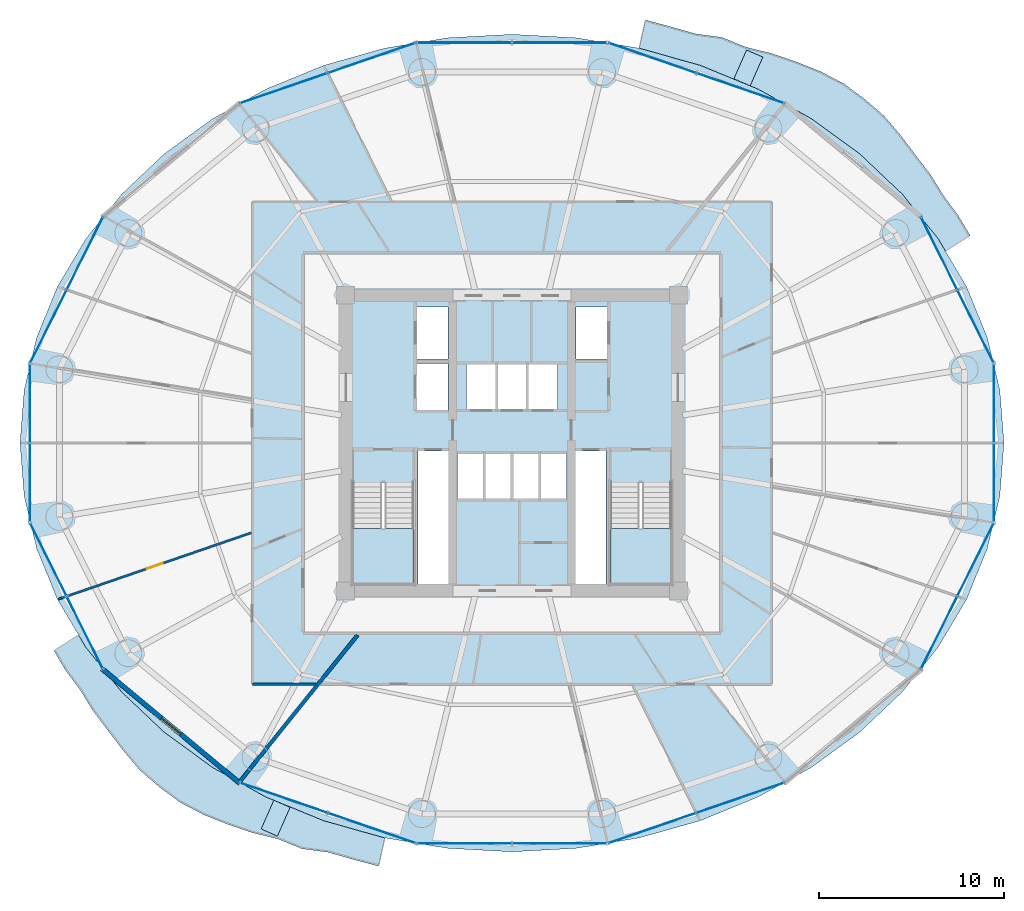
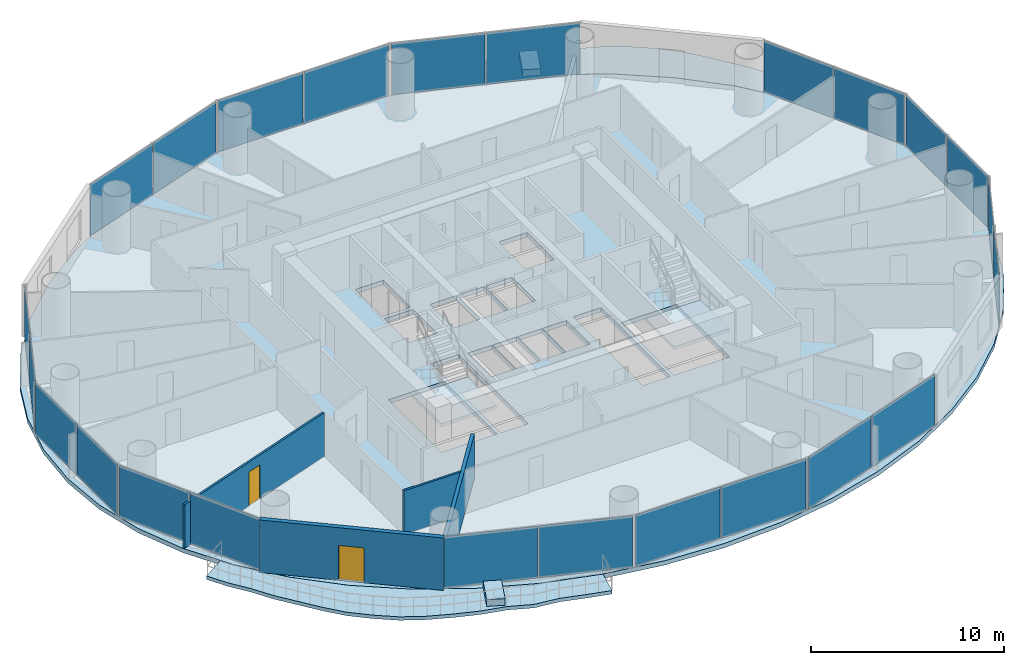
# One storey, part 21 of 29: 24 plates, 7 slabs, 4 walls, 2 doors, 2 openings, 14 elements without a shape of their own.
"""IFC4 building model written with IfcOpenShell, lengths in metres."""

from ifc_helpers import new_model, si_unit, direction, frame, frame_2d, origin, origin_2d, place, context, subcontext, project, spatial, polyline, rectangle, outline, extrude, source, transform, mapped, material, layer, layer_set, type_object, element, fill, aggregate, save


model = new_model("IFC4")

# Units and contexts
model_context = context("Model", 3, precision=1e-05, world=origin(), true_north=direction((-0.2419218956, 0.970295726276)))
body_context = subcontext(model_context, "Body", "Model", "MODEL_VIEW")
ifc_project = project(units=[si_unit("LENGTHUNIT", "METRE"), si_unit("AREAUNIT", "SQUARE_METRE"), si_unit("VOLUMEUNIT", "CUBIC_METRE"), si_unit("PLANEANGLEUNIT", "RADIAN"), si_unit("MASSUNIT", "GRAM", prefix="KILO")], contexts=[model_context])

# Site, building, storey
site_placement = place(None, origin())
site = spatial("IfcSite", under=ifc_project, at=site_placement, CompositionType="ELEMENT")
building_placement = place(site_placement, origin())
building = spatial("IfcBuilding", under=site, at=building_placement, Name="Cobrevalo Terracotta Tower", CompositionType="ELEMENT")
storey_placement = place(building_placement, frame((0.0, 0.0, 112.199951171875)))
storey = spatial("IfcBuildingStorey", under=building, at=storey_placement, Name="L29", CompositionType="ELEMENT", Elevation=112.199951171875)

# Stair, slab
ifc_material_1 = material(Name="Concrete C50", Category="concrete")
stair_type = type_object("IfcStairType", Name="Core protected escape dogleg stair 1600", PredefinedType="HALF_TURN_STAIR", material=ifc_material_1)
stair_1_placement = place(storey_placement, origin())
stair_1 = element("IfcStair", 1, at=stair_1_placement, inside=storey, type_object=stair_type, Name="L29 Protected exit stair ST-1", PredefinedType="HALF_TURN_STAIR")
ifc_layer_1 = layer(ifc_material_1, 0.199951171875)
ifc_layer_set_1 = layer_set([ifc_layer_1], Name="Concrete C50")
slab_type_1 = type_object("IfcSlabType", Name="Reinforced Concrete Stair Landing 200", PredefinedType="LANDING", material=ifc_layer_set_1)
slab_1_placement = place(storey_placement, frame((0.0, 0.0, 1.60009765625)))
slab_1 = element("IfcSlab", 2, at=slab_1_placement, type_object=slab_type_1, Name="ST-1 landing 1", PredefinedType="LANDING", context=body_context, shape_type="SweptSolid", body=[
    extrude(outline(polyline([(29.375, 22.179931640625), (29.375, 19.175048828125), (32.695068359375, 19.175048828125), (32.695068359375, 22.179931640625), (29.375, 22.179931640625)])), origin(), (0.0, 0.0, 1.0), 0.199951171875),
])
aggregate(stair_1, [slab_1])

stair_2_placement = place(storey_placement, origin())
stair_2 = element("IfcStair", 3, at=stair_2_placement, inside=storey, type_object=stair_type, Name="L29 Protected exit stair ST-2", PredefinedType="HALF_TURN_STAIR")
slab_2_placement = place(storey_placement, frame((0.0, 0.0, 1.60009765625)))
slab_2 = element("IfcSlab", 4, at=slab_2_placement, type_object=slab_type_1, Name="ST-2 landing 1", PredefinedType="LANDING", context=body_context, shape_type="SweptSolid", body=[
    extrude(outline(polyline([(43.304931640625, 22.179931640625), (43.304931640625, 19.175048828125), (46.625, 19.175048828125), (46.625, 22.179931640625), (43.304931640625, 22.179931640625)])), origin(), (0.0, 0.0, 1.0), 0.199951171875),
])
aggregate(stair_2, [slab_2])

# Slabs
ifc_material_2 = material(Name="Concrete C45", Category="concrete")
ifc_layer_2 = layer(ifc_material_2, 0.219970703125)
ifc_layer_set_2 = layer_set([ifc_layer_2], Name="Concrete C45")
slab_type_2 = type_object("IfcSlabType", Name="Spiralling cantilevered balcony lobe slab 220 mm", PredefinedType="FLOOR", material=ifc_layer_set_2)
slab_3_placement = place(storey_placement, frame((0.0, 0.0, -0.219970703125)))
element("IfcSlab", 5, at=slab_3_placement, inside=storey, type_object=slab_type_2, Name="L29 spiralling arc balcony slab lobe 1", PredefinedType="FLOOR", context=body_context, shape_type="SweptSolid", body=[
    extrude(outline(polyline([(62.771240234375, 38.0166015625), (62.1162109375, 39.11474609375), (61.341552734375, 40.156982421875), (60.6494140625, 41.2783203125), (59.839599609375, 42.3447265625), (59.01416015625, 43.433349609375), (58.12109375, 44.483154296875), (57.068115234375, 45.39599609375), (55.948486328125, 46.224609375), (54.7001953125, 46.87890625), (53.381591796875, 47.40771484375), (52.04638671875, 47.865234375), (50.653564453125, 48.203369140625), (49.353515625, 48.734619140625), (47.9326171875, 48.925537109375), (46.5771484375, 49.314697265625), (45.21435546875, 49.6728515625), (44.8759765625, 48.150390625), (44.885009765625, 48.14892578125), (48.18017578125, 47.219482421875), (51.301025390625, 45.94091796875), (54.1943359375, 44.334716796875), (56.810546875, 42.428466796875), (59.104736328125, 40.2548828125), (61.0380859375, 37.85107421875), (61.4443359375, 37.16650390625), (62.771240234375, 38.0166015625)])), origin(), (0.0, 0.0, 1.0), 0.219970703125),
])
slab_4_placement = place(storey_placement, frame((0.0, 0.0, -0.219970703125)))
element("IfcSlab", 6, at=slab_4_placement, inside=storey, type_object=slab_type_2, Name="L29 spiralling arc balcony slab lobe 2", PredefinedType="FLOOR", context=body_context, shape_type="SweptSolid", body=[
    extrude(outline(polyline([(13.228759765625, 15.58349609375), (13.8837890625, 14.4853515625), (14.658447265625, 13.443115234375), (15.3505859375, 12.321533203125), (16.160400390625, 11.255126953125), (16.98583984375, 10.16650390625), (17.87890625, 9.116943359375), (18.931884765625, 8.2041015625), (20.051513671875, 7.37548828125), (21.2998046875, 6.72119140625), (22.618408203125, 6.1923828125), (23.95361328125, 5.73486328125), (25.346435546875, 5.396728515625), (26.646484375, 4.865478515625), (28.0673828125, 4.674560546875), (29.4228515625, 4.28515625), (30.78564453125, 3.927001953125), (31.1240234375, 5.44970703125), (31.114990234375, 5.451171875), (27.81982421875, 6.38037109375), (24.698974609375, 7.6591796875), (21.8056640625, 9.265380859375), (19.189453125, 11.171630859375), (16.895263671875, 13.34521484375), (14.9619140625, 15.7490234375), (14.5556640625, 16.433349609375), (13.228759765625, 15.58349609375)])), origin(), (0.0, 0.0, 1.0), 0.219970703125),
])
ifc_material_3 = material(Name="Precast concrete C45", Category="concrete")
ifc_layer_3 = layer(ifc_material_3, 0.419921875)
ifc_layer_set_3 = layer_set([ifc_layer_3], Name="Precast concrete C45")
slab_type_3 = type_object("IfcSlabType", Name="Structural tree planter trough base 420 mm", PredefinedType="USERDEFINED", material=ifc_layer_set_3)
slab_5_placement = place(storey_placement, origin())
element("IfcSlab", 7, at=slab_5_placement, inside=storey, type_object=slab_type_3, Name="L29 structural tree planter trough 1", ObjectType="PLANTER", PredefinedType="USERDEFINED", context=body_context, shape_type="SweptSolid", body=[
    extrude(outline(polyline([(50.876220703125, 46.109619140625), (51.560791015625, 47.66552734375), (50.68212890625, 48.05224609375), (49.99755859375, 46.49609375), (50.876220703125, 46.109619140625)])), origin(), (0.0, 0.0, 1.0), 0.420166015625),
])
slab_6_placement = place(storey_placement, origin())
element("IfcSlab", 8, at=slab_6_placement, inside=storey, type_object=slab_type_3, Name="L29 structural tree planter trough 2", ObjectType="PLANTER", PredefinedType="USERDEFINED", context=body_context, shape_type="SweptSolid", body=[
    extrude(outline(polyline([(25.123779296875, 7.490478515625), (24.439208984375, 5.934326171875), (25.31787109375, 5.5478515625), (26.00244140625, 7.103759765625), (25.123779296875, 7.490478515625)])), origin(), (0.0, 0.0, 1.0), 0.420166015625),
])
ifc_layer_4 = layer(ifc_material_1, 0.27490234375)
ifc_layer_set_4 = layer_set([ifc_layer_4], Name="Concrete C50")
slab_type_4 = type_object("IfcSlabType", Name="Zone Z2 elliptical floor plate 275 mm", PredefinedType="FLOOR", material=ifc_layer_set_4)
slab_7_placement = place(storey_placement, frame((0.0, 0.0, -0.27490234375)))
element("IfcSlab", 9, at=slab_7_placement, inside=storey, type_object=slab_type_4, Name="L29 indoor elliptical floor slab", PredefinedType="FLOOR", context=body_context, shape_type="SweptSolid", body=[
    extrude(outline(polyline([(64.372314453125, 23.915283203125), (63.693603515625, 21.080078125), (62.5751953125, 18.3427734375), (61.036376953125, 15.75), (59.103271484375, 13.346435546875), (56.80908203125, 11.1728515625), (54.193115234375, 9.266845703125), (51.300048828125, 7.660888671875), (48.179443359375, 6.38232421875), (44.884521484375, 5.453125), (41.471923828125, 4.88916015625), (38.0, 4.699951171875), (34.528076171875, 4.88916015625), (31.115478515625, 5.453125), (27.820556640625, 6.38232421875), (24.699951171875, 7.660888671875), (21.806884765625, 9.266845703125), (19.19091796875, 11.1728515625), (16.896728515625, 13.346435546875), (14.963623046875, 15.75), (13.4248046875, 18.3427734375), (12.306396484375, 21.080078125), (11.627685546875, 23.915283203125), (11.39990234375, 26.800048828125), (11.627685546875, 29.6845703125), (12.306396484375, 32.52001953125), (13.4248046875, 35.25732421875), (14.963623046875, 37.85009765625), (16.896728515625, 40.253662109375), (19.19091796875, 42.427001953125), (21.806884765625, 44.3330078125), (24.699951171875, 45.939208984375), (27.820556640625, 47.2177734375), (31.115478515625, 48.14697265625), (34.528076171875, 48.7109375), (38.0, 48.89990234375), (41.471923828125, 48.7109375), (44.884521484375, 48.14697265625), (48.179443359375, 47.2177734375), (51.300048828125, 45.939208984375), (54.193115234375, 44.3330078125), (56.80908203125, 42.427001953125), (59.103271484375, 40.253662109375), (61.036376953125, 37.85009765625), (62.5751953125, 35.25732421875), (63.693603515625, 32.52001953125), (64.372314453125, 29.6845703125), (64.60009765625, 26.800048828125), (64.372314453125, 23.915283203125)]), holes=[polyline([(32.695068359375, 19.175048828125), (32.695068359375, 24.659912109375), (29.375, 24.659912109375), (29.375, 19.175048828125), (32.695068359375, 19.175048828125)]), polyline([(34.574951171875, 19.175048828125), (34.574951171875, 26.360107421875), (32.919921875, 26.360107421875), (32.919921875, 19.175048828125), (34.574951171875, 19.175048828125)]), polyline([(36.47998046875, 23.800048828125), (36.47998046875, 26.25), (35.050048828125, 26.25), (35.050048828125, 23.800048828125), (36.47998046875, 23.800048828125)]), polyline([(37.9599609375, 23.800048828125), (37.9599609375, 26.25), (36.530029296875, 26.25), (36.530029296875, 23.800048828125), (37.9599609375, 23.800048828125)]), polyline([(37.1201171875, 28.60009765625), (37.1201171875, 31.050048828125), (35.550048828125, 31.050048828125), (35.550048828125, 28.60009765625), (37.1201171875, 28.60009765625)]), polyline([(34.550048828125, 28.60009765625), (34.550048828125, 31.10009765625), (32.85009765625, 31.10009765625), (32.85009765625, 28.60009765625), (34.550048828125, 28.60009765625)]), polyline([(34.550048828125, 31.35009765625), (34.550048828125, 34.14990234375), (32.85009765625, 34.14990234375), (32.85009765625, 31.35009765625), (34.550048828125, 31.35009765625)]), polyline([(46.625, 19.175048828125), (46.625, 24.659912109375), (43.304931640625, 24.659912109375), (43.304931640625, 19.175048828125), (46.625, 19.175048828125)]), polyline([(43.080078125, 19.175048828125), (43.080078125, 26.360107421875), (41.425048828125, 26.360107421875), (41.425048828125, 19.175048828125), (43.080078125, 19.175048828125)]), polyline([(39.469970703125, 23.800048828125), (39.469970703125, 26.25), (38.0400390625, 26.25), (38.0400390625, 23.800048828125), (39.469970703125, 23.800048828125)]), polyline([(40.949951171875, 23.800048828125), (40.949951171875, 26.25), (39.52001953125, 26.25), (39.52001953125, 23.800048828125), (40.949951171875, 23.800048828125)]), polyline([(38.780029296875, 28.60009765625), (38.780029296875, 31.050048828125), (37.219970703125, 31.050048828125), (37.219970703125, 28.60009765625), (38.780029296875, 28.60009765625)]), polyline([(40.449951171875, 28.60009765625), (40.449951171875, 31.050048828125), (38.8798828125, 31.050048828125), (38.8798828125, 28.60009765625), (40.449951171875, 28.60009765625)]), polyline([(43.14990234375, 31.35009765625), (43.14990234375, 34.14990234375), (41.449951171875, 34.14990234375), (41.449951171875, 31.35009765625), (43.14990234375, 31.35009765625)])]), origin(), (0.0, 0.0, 1.0), 0.27490234375),
])

# Curtain wall, plates
ifc_material_4 = material(Name="Anodized aluminium", Category="aluminium")
curtain_wall_type = type_object("IfcCurtainWallType", Name="Lower-tower unitised acoustic low-E curtain wall CW-U1", PredefinedType="NOTDEFINED", material=ifc_material_4)
curtain_wall_1_placement = place(storey_placement, origin())
curtain_wall_1 = element("IfcCurtainWall", 10, at=curtain_wall_1_placement, inside=storey, type_object=curtain_wall_type, Name="L29 curtain wall CW-L29-S03", PredefinedType="NOTDEFINED")
ifc_material_5 = material(Name="Solar-control low-E double glazing", Category="glass")
ifc_layer_5 = layer(ifc_material_5, 0.028076171875)
ifc_layer_set_5 = layer_set([ifc_layer_5], Name="Solar-control low-E double glazing")
plate_type = type_object("IfcPlateType", Name="Tower solar-control low-E vision glass panel 28 mm", PredefinedType="CURTAIN_PANEL", material=ifc_layer_set_5)
shared_shape_1 = source(origin(), body_context, "Body", "SweptSolid", [
    extrude(rectangle(XDim=4.944580078125, YDim=0.035888671875, at=origin_2d()), origin(), (0.0, 0.0, 1.0), 3.2451171875),
])
plate_1_placement = place(storey_placement, frame((50.34814453125, 45.98095703125, 0.0400390625), z_axis=(0.0, 0.0, 1.0), x_axis=(-0.945596395206, 0.325342062104, 0.0)))
plate_1 = element("IfcPlate", 11, at=plate_1_placement, type_object=plate_type, Name="CW-L29-S03 glazing panel B01", PredefinedType="CURTAIN_PANEL", context=body_context, shape_type="MappedRepresentation", body=[
    mapped(shared_shape_1, transform((0.0, 0.0, 0.0), scale=1.0)),
])
plate_2_placement = place(storey_placement, frame((45.596923828125, 47.615478515625, 0.0400390625), z_axis=(0.0, 0.0, 1.0), x_axis=(-0.945596395206, 0.325342062104, 0.0)))
plate_2 = element("IfcPlate", 12, at=plate_2_placement, type_object=plate_type, Name="CW-L29-S03 glazing panel B02", PredefinedType="CURTAIN_PANEL", context=body_context, shape_type="MappedRepresentation", body=[
    mapped(shared_shape_1, transform((0.0, 0.0, 0.0), scale=1.0)),
])
aggregate(curtain_wall_1, [plate_1, plate_2])

curtain_wall_2_placement = place(storey_placement, origin())
curtain_wall_2 = element("IfcCurtainWall", 13, at=curtain_wall_2_placement, inside=storey, type_object=curtain_wall_type, Name="L29 curtain wall CW-L29-S05", PredefinedType="NOTDEFINED")
plate_3_placement = place(storey_placement, frame((30.403076171875, 47.615478515625, 0.0400390625), z_axis=(0.0, 0.0, 1.0), x_axis=(-0.945596395206, -0.325342062104, 0.0)))
plate_3 = element("IfcPlate", 14, at=plate_3_placement, type_object=plate_type, Name="CW-L29-S05 glazing panel B01", PredefinedType="CURTAIN_PANEL", context=body_context, shape_type="MappedRepresentation", body=[
    mapped(shared_shape_1, transform((0.0, 0.0, 0.0), scale=1.0)),
])
plate_4_placement = place(storey_placement, frame((25.65185546875, 45.98095703125, 0.0400390625), z_axis=(0.0, 0.0, 1.0), x_axis=(-0.945596395206, -0.325342062104, 0.0)))
plate_4 = element("IfcPlate", 15, at=plate_4_placement, type_object=plate_type, Name="CW-L29-S05 glazing panel B02", PredefinedType="CURTAIN_PANEL", context=body_context, shape_type="MappedRepresentation", body=[
    mapped(shared_shape_1, transform((0.0, 0.0, 0.0), scale=1.0)),
])
aggregate(curtain_wall_2, [plate_3, plate_4])

curtain_wall_3_placement = place(storey_placement, origin())
curtain_wall_3 = element("IfcCurtainWall", 16, at=curtain_wall_3_placement, inside=storey, type_object=curtain_wall_type, Name="L29 curtain wall CW-L29-S11", PredefinedType="NOTDEFINED")
plate_5_placement = place(storey_placement, frame((25.65185546875, 7.619140625, 0.0400390625), z_axis=(0.0, 0.0, 1.0), x_axis=(0.945596395206, -0.325342062104, 0.0)))
plate_5 = element("IfcPlate", 17, at=plate_5_placement, type_object=plate_type, Name="CW-L29-S11 glazing panel B01", PredefinedType="CURTAIN_PANEL", context=body_context, shape_type="MappedRepresentation", body=[
    mapped(shared_shape_1, transform((0.0, 0.0, 0.0), scale=1.0)),
])
plate_6_placement = place(storey_placement, frame((30.403076171875, 5.984375, 0.0400390625), z_axis=(0.0, 0.0, 1.0), x_axis=(0.945596395206, -0.325342062104, 0.0)))
plate_6 = element("IfcPlate", 18, at=plate_6_placement, type_object=plate_type, Name="CW-L29-S11 glazing panel B02", PredefinedType="CURTAIN_PANEL", context=body_context, shape_type="MappedRepresentation", body=[
    mapped(shared_shape_1, transform((0.0, 0.0, 0.0), scale=1.0)),
])
aggregate(curtain_wall_3, [plate_5, plate_6])

curtain_wall_4_placement = place(storey_placement, origin())
curtain_wall_4 = element("IfcCurtainWall", 19, at=curtain_wall_4_placement, inside=storey, type_object=curtain_wall_type, Name="L29 curtain wall CW-L29-S13", PredefinedType="NOTDEFINED")
plate_7_placement = place(storey_placement, frame((45.596923828125, 5.984375, 0.0400390625), z_axis=(0.0, 0.0, 1.0), x_axis=(0.945596395206, 0.325342062104, 0.0)))
plate_7 = element("IfcPlate", 20, at=plate_7_placement, type_object=plate_type, Name="CW-L29-S13 glazing panel B01", PredefinedType="CURTAIN_PANEL", context=body_context, shape_type="MappedRepresentation", body=[
    mapped(shared_shape_1, transform((0.0, 0.0, 0.0), scale=1.0)),
])
plate_8_placement = place(storey_placement, frame((50.34814453125, 7.619140625, 0.0400390625), z_axis=(0.0, 0.0, 1.0), x_axis=(0.945596395206, 0.325342062104, 0.0)))
plate_8 = element("IfcPlate", 21, at=plate_8_placement, type_object=plate_type, Name="CW-L29-S13 glazing panel B02", PredefinedType="CURTAIN_PANEL", context=body_context, shape_type="MappedRepresentation", body=[
    mapped(shared_shape_1, transform((0.0, 0.0, 0.0), scale=1.0)),
])
aggregate(curtain_wall_4, [plate_7, plate_8])

curtain_wall_5_placement = place(storey_placement, origin())
curtain_wall_5 = element("IfcCurtainWall", 22, at=curtain_wall_5_placement, inside=storey, type_object=curtain_wall_type, Name="L29 curtain wall CW-L29-S04", PredefinedType="NOTDEFINED")
shared_shape_2 = source(origin(), body_context, "Body", "SweptSolid", [
    extrude(rectangle(XDim=5.0634765625, YDim=0.035888671875, at=origin_2d()), origin(), (0.0, 0.0, 1.0), 3.2451171875),
])
plate_9_placement = place(storey_placement, frame((40.57177734375, 48.446044921875, 0.0400390625), z_axis=(0.0, 0.0, 1.0), x_axis=(-1.0, 0.0, 0.0)))
plate_9 = element("IfcPlate", 23, at=plate_9_placement, type_object=plate_type, Name="CW-L29-S04 glazing panel B01", PredefinedType="CURTAIN_PANEL", context=body_context, shape_type="MappedRepresentation", body=[
    mapped(shared_shape_2, transform((0.0, 0.0, 0.0), scale=1.0)),
])
plate_10_placement = place(storey_placement, frame((35.42822265625, 48.446044921875, 0.0400390625), z_axis=(0.0, 0.0, 1.0), x_axis=(-1.0, 0.0, 0.0)))
plate_10 = element("IfcPlate", 24, at=plate_10_placement, type_object=plate_type, Name="CW-L29-S04 glazing panel B02", PredefinedType="CURTAIN_PANEL", context=body_context, shape_type="MappedRepresentation", body=[
    mapped(shared_shape_2, transform((0.0, 0.0, 0.0), scale=1.0)),
])
aggregate(curtain_wall_5, [plate_9, plate_10])

curtain_wall_6_placement = place(storey_placement, origin())
curtain_wall_6 = element("IfcCurtainWall", 25, at=curtain_wall_6_placement, inside=storey, type_object=curtain_wall_type, Name="L29 curtain wall CW-L29-S12", PredefinedType="NOTDEFINED")
plate_11_placement = place(storey_placement, frame((35.42822265625, 5.154052734375, 0.0400390625), z_axis=(0.0, 0.0, 1.0), x_axis=(1.0, 0.0, 0.0)))
plate_11 = element("IfcPlate", 26, at=plate_11_placement, type_object=plate_type, Name="CW-L29-S12 glazing panel B01", PredefinedType="CURTAIN_PANEL", context=body_context, shape_type="MappedRepresentation", body=[
    mapped(shared_shape_2, transform((0.0, 0.0, 0.0), scale=1.0)),
])
plate_12_placement = place(storey_placement, frame((40.57177734375, 5.154052734375, 0.0400390625), z_axis=(0.0, 0.0, 1.0), x_axis=(1.0, 0.0, 0.0)))
plate_12 = element("IfcPlate", 27, at=plate_12_placement, type_object=plate_type, Name="CW-L29-S12 glazing panel B02", PredefinedType="CURTAIN_PANEL", context=body_context, shape_type="MappedRepresentation", body=[
    mapped(shared_shape_2, transform((0.0, 0.0, 0.0), scale=1.0)),
])
aggregate(curtain_wall_6, [plate_11, plate_12])

curtain_wall_7_placement = place(storey_placement, origin())
curtain_wall_7 = element("IfcCurtainWall", 28, at=curtain_wall_7_placement, inside=storey, type_object=curtain_wall_type, Name="L29 curtain wall CW-L29-S01", PredefinedType="NOTDEFINED")
shared_shape_3 = source(origin(), body_context, "Body", "SweptSolid", [
    extrude(rectangle(XDim=4.3251953125, YDim=0.035888671875, at=origin_2d()), origin(), (0.0, 0.0, 1.0), 3.2451171875),
])
plate_13_placement = place(storey_placement, frame((63.05859375, 33.112548828125, 0.0400390625), z_axis=(0.0, 0.0, 1.0), x_axis=(-0.446261852127, 0.894902430065, 0.0)))
plate_13 = element("IfcPlate", 29, at=plate_13_placement, type_object=plate_type, Name="CW-L29-S01 glazing panel B01", PredefinedType="CURTAIN_PANEL", context=body_context, shape_type="MappedRepresentation", body=[
    mapped(shared_shape_3, transform((0.0, 0.0, 0.0), scale=1.0)),
])
plate_14_placement = place(storey_placement, frame((61.093017578125, 37.0546875, 0.0400390625), z_axis=(0.0, 0.0, 1.0), x_axis=(-0.446261852127, 0.894902430065, 0.0)))
plate_14 = element("IfcPlate", 30, at=plate_14_placement, type_object=plate_type, Name="CW-L29-S01 glazing panel B02", PredefinedType="CURTAIN_PANEL", context=body_context, shape_type="MappedRepresentation", body=[
    mapped(shared_shape_3, transform((0.0, 0.0, 0.0), scale=1.0)),
])
aggregate(curtain_wall_7, [plate_13, plate_14])

curtain_wall_8_placement = place(storey_placement, origin())
curtain_wall_8 = element("IfcCurtainWall", 31, at=curtain_wall_8_placement, inside=storey, type_object=curtain_wall_type, Name="L29 curtain wall CW-L29-S07", PredefinedType="NOTDEFINED")
plate_15_placement = place(storey_placement, frame((14.906982421875, 37.0546875, 0.0400390625), z_axis=(0.0, 0.0, 1.0), x_axis=(-0.446261852127, -0.894902430065, 0.0)))
plate_15 = element("IfcPlate", 32, at=plate_15_placement, type_object=plate_type, Name="CW-L29-S07 glazing panel B01", PredefinedType="CURTAIN_PANEL", context=body_context, shape_type="MappedRepresentation", body=[
    mapped(shared_shape_3, transform((0.0, 0.0, 0.0), scale=1.0)),
])
plate_16_placement = place(storey_placement, frame((12.94140625, 33.112548828125, 0.0400390625), z_axis=(0.0, 0.0, 1.0), x_axis=(-0.446261852127, -0.894902430065, 0.0)))
plate_16 = element("IfcPlate", 33, at=plate_16_placement, type_object=plate_type, Name="CW-L29-S07 glazing panel B02", PredefinedType="CURTAIN_PANEL", context=body_context, shape_type="MappedRepresentation", body=[
    mapped(shared_shape_3, transform((0.0, 0.0, 0.0), scale=1.0)),
])
aggregate(curtain_wall_8, [plate_15, plate_16])

curtain_wall_9_placement = place(storey_placement, origin())
curtain_wall_9 = element("IfcCurtainWall", 34, at=curtain_wall_9_placement, inside=storey, type_object=curtain_wall_type, Name="L29 curtain wall CW-L29-S09", PredefinedType="NOTDEFINED")
plate_17_placement = place(storey_placement, frame((12.94140625, 20.487548828125, 0.0400390625), z_axis=(0.0, 0.0, 1.0), x_axis=(0.446261852127, -0.894902430065, 0.0)))
plate_17 = element("IfcPlate", 35, at=plate_17_placement, type_object=plate_type, Name="CW-L29-S09 glazing panel B01", PredefinedType="CURTAIN_PANEL", context=body_context, shape_type="MappedRepresentation", body=[
    mapped(shared_shape_3, transform((0.0, 0.0, 0.0), scale=1.0)),
])
plate_18_placement = place(storey_placement, frame((14.906982421875, 16.54541015625, 0.0400390625), z_axis=(0.0, 0.0, 1.0), x_axis=(0.446261852127, -0.894902430065, 0.0)))
plate_18 = element("IfcPlate", 36, at=plate_18_placement, type_object=plate_type, Name="CW-L29-S09 glazing panel B02", PredefinedType="CURTAIN_PANEL", context=body_context, shape_type="MappedRepresentation", body=[
    mapped(shared_shape_3, transform((0.0, 0.0, 0.0), scale=1.0)),
])
aggregate(curtain_wall_9, [plate_17, plate_18])

curtain_wall_10_placement = place(storey_placement, origin())
curtain_wall_10 = element("IfcCurtainWall", 37, at=curtain_wall_10_placement, inside=storey, type_object=curtain_wall_type, Name="L29 curtain wall CW-L29-S15", PredefinedType="NOTDEFINED")
plate_19_placement = place(storey_placement, frame((61.093017578125, 16.54541015625, 0.0400390625), z_axis=(0.0, 0.0, 1.0), x_axis=(0.446261852127, 0.894902430065, 0.0)))
plate_19 = element("IfcPlate", 38, at=plate_19_placement, type_object=plate_type, Name="CW-L29-S15 glazing panel B01", PredefinedType="CURTAIN_PANEL", context=body_context, shape_type="MappedRepresentation", body=[
    mapped(shared_shape_3, transform((0.0, 0.0, 0.0), scale=1.0)),
])
plate_20_placement = place(storey_placement, frame((63.05859375, 20.487548828125, 0.0400390625), z_axis=(0.0, 0.0, 1.0), x_axis=(0.446261852127, 0.894902430065, 0.0)))
plate_20 = element("IfcPlate", 39, at=plate_20_placement, type_object=plate_type, Name="CW-L29-S15 glazing panel B02", PredefinedType="CURTAIN_PANEL", context=body_context, shape_type="MappedRepresentation", body=[
    mapped(shared_shape_3, transform((0.0, 0.0, 0.0), scale=1.0)),
])
aggregate(curtain_wall_10, [plate_19, plate_20])

curtain_wall_11_placement = place(storey_placement, origin())
curtain_wall_11 = element("IfcCurtainWall", 40, at=curtain_wall_11_placement, inside=storey, type_object=curtain_wall_type, Name="L29 curtain wall CW-L29-S08", PredefinedType="NOTDEFINED")
shared_shape_4 = source(origin(), body_context, "Body", "SweptSolid", [
    extrude(rectangle(XDim=4.185546875, YDim=0.035888671875, at=origin_2d()), origin(), (0.0, 0.0, 1.0), 3.2451171875),
])
plate_21_placement = place(storey_placement, frame((11.9404296875, 28.932861328125, 0.0400390625), z_axis=(0.0, 0.0, 1.0), x_axis=(0.0, -1.0, 0.0)))
plate_21 = element("IfcPlate", 41, at=plate_21_placement, type_object=plate_type, Name="CW-L29-S08 glazing panel B01", PredefinedType="CURTAIN_PANEL", context=body_context, shape_type="MappedRepresentation", body=[
    mapped(shared_shape_4, transform((0.0, 0.0, 0.0), scale=1.0)),
])
plate_22_placement = place(storey_placement, frame((11.9404296875, 24.667236328125, 0.0400390625), z_axis=(0.0, 0.0, 1.0), x_axis=(0.0, -1.0, 0.0)))
plate_22 = element("IfcPlate", 42, at=plate_22_placement, type_object=plate_type, Name="CW-L29-S08 glazing panel B02", PredefinedType="CURTAIN_PANEL", context=body_context, shape_type="MappedRepresentation", body=[
    mapped(shared_shape_4, transform((0.0, 0.0, 0.0), scale=1.0)),
])
aggregate(curtain_wall_11, [plate_21, plate_22])

curtain_wall_12_placement = place(storey_placement, origin())
curtain_wall_12 = element("IfcCurtainWall", 43, at=curtain_wall_12_placement, inside=storey, type_object=curtain_wall_type, Name="L29 curtain wall CW-L29-S16", PredefinedType="NOTDEFINED")
plate_23_placement = place(storey_placement, frame((64.0595703125, 24.667236328125, 0.0400390625), z_axis=(0.0, 0.0, 1.0), x_axis=(0.0, 1.0, 0.0)))
plate_23 = element("IfcPlate", 44, at=plate_23_placement, type_object=plate_type, Name="CW-L29-S16 glazing panel B01", PredefinedType="CURTAIN_PANEL", context=body_context, shape_type="MappedRepresentation", body=[
    mapped(shared_shape_4, transform((0.0, 0.0, 0.0), scale=1.0)),
])
plate_24_placement = place(storey_placement, frame((64.0595703125, 28.932861328125, 0.0400390625), z_axis=(0.0, 0.0, 1.0), x_axis=(0.0, 1.0, 0.0)))
plate_24 = element("IfcPlate", 45, at=plate_24_placement, type_object=plate_type, Name="CW-L29-S16 glazing panel B02", PredefinedType="CURTAIN_PANEL", context=body_context, shape_type="MappedRepresentation", body=[
    mapped(shared_shape_4, transform((0.0, 0.0, 0.0), scale=1.0)),
])
aggregate(curtain_wall_12, [plate_23, plate_24])

# Wall
ifc_material_6 = material(Name="Autoclaved aerated concrete block", Category="concrete")
ifc_layer_6 = layer(ifc_material_6, 0.199951171875)
ifc_layer_set_6 = layer_set([ifc_layer_6], Name="Autoclaved aerated concrete block")
wall_type_1 = type_object("IfcWallType", Name="Fire-rated stair, shaft & demising masonry wall 200 mm", PredefinedType="PARTITIONING", material=ifc_layer_set_6)
wall_1_placement = place(storey_placement, frame((29.64794921875, 16.4150390625, 0.0), z_axis=(0.0, 0.0, 1.0), x_axis=(-0.626701127389, -0.779259710834, 0.0)))
element("IfcWall", 46, at=wall_1_placement, inside=storey, type_object=wall_type_1, Name="L29 interior partition IW-L29-DEM-2", PredefinedType="PARTITIONING", context=body_context, shape_type="SweptSolid", body=[
    extrude(rectangle(XDim=10.14111328125, YDim=0.199951171875, at=frame_2d((5.070556640625, 0.0))), origin(), (0.0, 0.0, 1.0), 2.76708984375),
])

# Wall, opening, door
ifc_layer_7 = layer(ifc_material_6, 0.260009765625)
ifc_layer_set_7 = layer_set([ifc_layer_7], Name="Autoclaved aerated concrete block")
wall_type_2 = type_object("IfcWallType", Name="Recessed balcony loggia insulated exterior wall 260 mm", PredefinedType="SOLIDWALL", material=ifc_layer_set_7)
wall_2_placement = place(storey_placement, frame((15.84619140625, 14.589599609375, 0.0), z_axis=(0.0, 0.0, 1.0), x_axis=(0.769254958887, -0.638941944333, 0.0)))
wall_2 = element("IfcWall", 47, at=wall_2_placement, inside=storey, type_object=wall_type_2, Name="L29 balcony loggia wall S10", PredefinedType="SOLIDWALL", context=body_context, shape_type="SweptSolid", body=[
    extrude(rectangle(XDim=9.689697265625, YDim=0.260009765625, at=frame_2d((4.8447265625, 0.0))), origin(), (0.0, 0.0, 1.0), 3.324951171875),
])
opening_1_placement = place(wall_2_placement, frame((4.169921875, 0.0, 0.0)))
opening_1 = element("IfcOpeningElement", 48, at=opening_1_placement, cuts=wall_2, Name="Opening ED-05", PredefinedType="OPENING", context=body_context, shape_type="SweptSolid", body=[
    extrude(rectangle(XDim=1.35009765625, YDim=2.199951171875, at=frame_2d((0.675048828125, 1.10009765625))), frame((0.0, 0.14013671875, 0.0), z_axis=(0.0, -1.0, 0.0), x_axis=(1.0, 0.0, 0.0)), (0.0, 0.0, 1.0), 0.280029296875),
])
ifc_material_7 = material(Name="Anodized aluminium and laminated glass", Category="aluminium")
door_type_1 = type_object("IfcDoorType", Name="Suite balcony acoustic glazed terrace door 1350x2200", OperationType="NOTDEFINED", PredefinedType="DOOR", material=ifc_material_7)
shared_shape_5 = source(origin(), body_context, "Body", "SweptSolid", [
    extrude(rectangle(XDim=1.35009765625, YDim=2.199951171875, at=frame_2d((0.675048828125, 1.10009765625))), frame((0.0, 0.02490234375, 0.0), z_axis=(0.0, -1.0, 0.0), x_axis=(1.0, 0.0, 0.0)), (0.0, 0.0, 1.0), 0.050048828125),
])
door_1_placement = place(opening_1_placement, frame((1.35009765625, 0.0, 0.0), z_axis=(0.0, 0.0, 1.0), x_axis=(-1.0, 0.0, 0.0)))
door_1 = element("IfcDoor", 49, at=door_1_placement, inside=storey, type_object=door_type_1, Name="L29 glazed balcony terrace door 2", OperationType="SINGLE_SWING_RIGHT", OverallHeight=2.199951171875, OverallWidth=1.35009765625, PredefinedType="DOOR", context=body_context, shape_type="MappedRepresentation", body=[
    mapped(shared_shape_5, transform((0.0, 0.0, 0.0), scale=1.0)),
])
fill(opening_1, door_1)

# Wall
ifc_material_8 = material(Name="Gypsum board on steel stud", Category="steel")
ifc_layer_8 = layer(ifc_material_8, 0.1201171875)
ifc_layer_set_8 = layer_set([ifc_layer_8], Name="Gypsum board on steel stud")
wall_type_3 = type_object("IfcWallType", Name="Residential internal acoustic stud partition 120 mm", PredefinedType="PARTITIONING", material=ifc_layer_set_8)
wall_3_placement = place(storey_placement, frame((27.414794921875, 13.764892578125, 0.0), z_axis=(0.0, 0.0, 1.0), x_axis=(-1.0, 0.0, 0.0)))
element("IfcWall", 50, at=wall_3_placement, inside=storey, type_object=wall_type_3, Name="L29 interior partition IW-L29-U1-RING0_0", PredefinedType="PARTITIONING", context=body_context, shape_type="SweptSolid", body=[
    extrude(rectangle(XDim=3.44970703125, YDim=0.1201171875, at=frame_2d((1.724853515625, 0.0))), origin(), (0.0, 0.0, 1.0), 2.76708984375),
])

# Wall, opening, door
wall_4_placement = place(storey_placement, frame((23.90625, 21.94970703125, 0.0), z_axis=(0.0, 0.0, 1.0), x_axis=(-0.945573120726, -0.32540970078, 0.0)))
wall_4 = element("IfcWall", 51, at=wall_4_placement, inside=storey, type_object=wall_type_3, Name="L29 interior partition IW-L29-U1-ORAD5", PredefinedType="PARTITIONING", context=body_context, shape_type="SweptSolid", body=[
    extrude(rectangle(XDim=11.02197265625, YDim=0.1201171875, at=frame_2d((5.510986328125, 0.0))), origin(), (0.0, 0.0, 1.0), 2.76708984375),
])
opening_2_placement = place(wall_4_placement, frame((5.06103515625, 0.0, 0.0)))
opening_2 = element("IfcOpeningElement", 52, at=opening_2_placement, cuts=wall_4, Name="Opening ID-12", PredefinedType="OPENING", context=body_context, shape_type="SweptSolid", body=[
    extrude(rectangle(XDim=0.89990234375, YDim=2.14990234375, at=frame_2d((0.449951171875, 1.074951171875))), frame((0.0, 0.070068359375, 0.0), z_axis=(0.0, -1.0, 0.0), x_axis=(1.0, 0.0, 0.0)), (0.0, 0.0, 1.0), 0.14013671875),
])
ifc_material_9 = material(Name="Engineered timber", Category="wood")
door_type_2 = type_object("IfcDoorType", Name="Internal residence & suite timber door 900x2150", OperationType="NOTDEFINED", PredefinedType="DOOR", material=ifc_material_9)
shared_shape_6 = source(origin(), body_context, "Body", "SweptSolid", [
    extrude(rectangle(XDim=0.89990234375, YDim=2.14990234375, at=frame_2d((0.449951171875, 1.074951171875))), frame((0.0, 0.02490234375, 0.0), z_axis=(0.0, -1.0, 0.0), x_axis=(1.0, 0.0, 0.0)), (0.0, 0.0, 1.0), 0.050048828125),
])
door_2_placement = place(opening_2_placement, frame((0.89990234375, 0.0, 0.0), z_axis=(0.0, 0.0, 1.0), x_axis=(-1.0, 0.0, 0.0)))
door_2 = element("IfcDoor", 53, at=door_2_placement, inside=storey, type_object=door_type_2, Name="Flat L29A Penthouse Family Lounge internal door", OperationType="SINGLE_SWING_RIGHT", OverallHeight=2.14990234375, OverallWidth=0.89990234375, PredefinedType="DOOR", context=body_context, shape_type="MappedRepresentation", body=[
    mapped(shared_shape_6, transform((0.0, 0.0, 0.0), scale=1.0)),
])
fill(opening_2, door_2)

save(model, "model.ifc")
